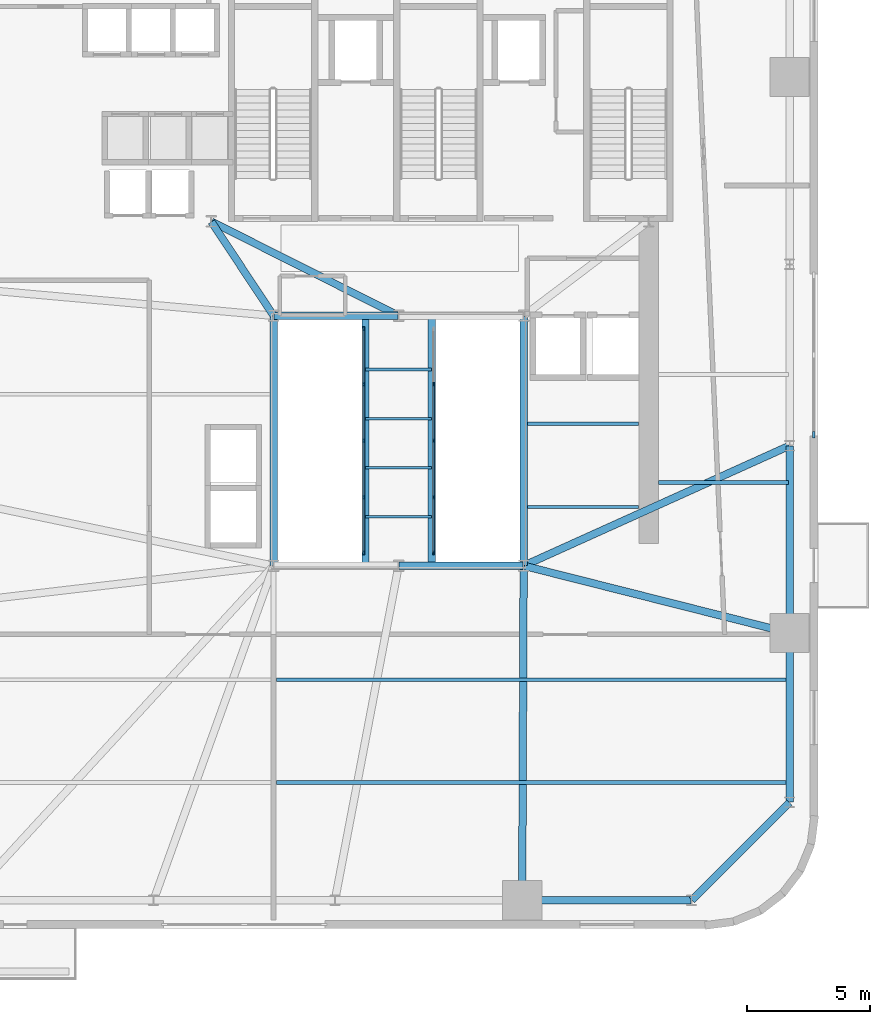
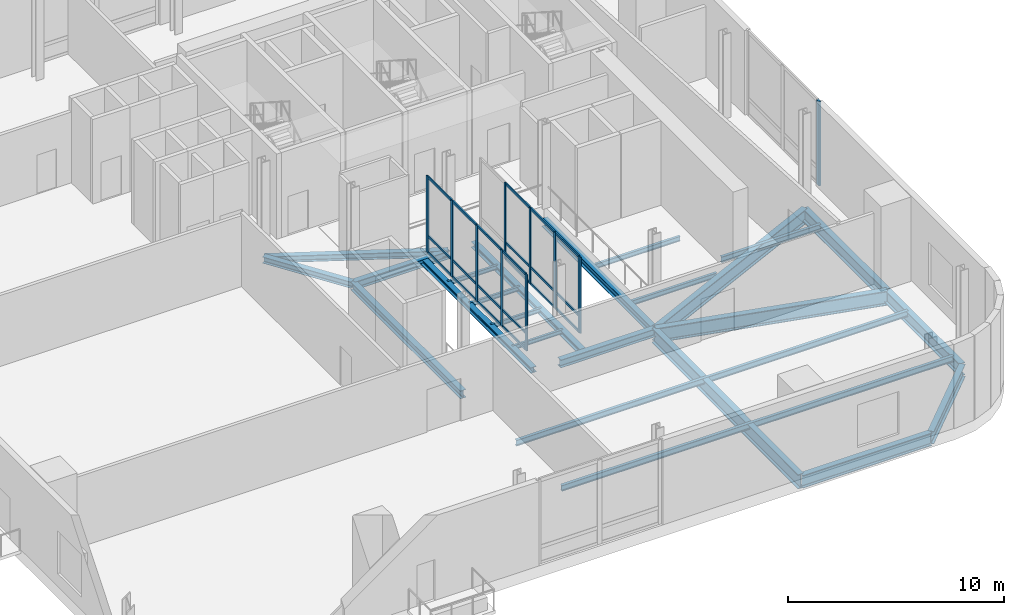
# One storey, part 3 of 13: 31 members, 24 beams, 3 elements without a shape of their own.
"""IFC4 building model written with IfcOpenShell, lengths in metres."""

from ifc_helpers import new_model, si_unit, direction, frame, origin, origin_2d, place, context, subcontext, project, spatial, rectangle, i_section, extrude, source, transform, mapped, material, material_profile, profile_set, type_object, element, aggregate, save


model = new_model("IFC4")

# Units and contexts
model_context = context("Model", 3, precision=1e-05, world=origin(), true_north=direction((0.0, 1.0)))
body_context = subcontext(model_context, "Body", "Model", "MODEL_VIEW")
ifc_project = project(units=[si_unit("LENGTHUNIT", "METRE"), si_unit("AREAUNIT", "SQUARE_METRE"), si_unit("VOLUMEUNIT", "CUBIC_METRE"), si_unit("PLANEANGLEUNIT", "RADIAN"), si_unit("MASSUNIT", "GRAM", prefix="KILO")], contexts=[model_context])

# Site, building, storey
site_placement = place(None, origin())
site = spatial("IfcSite", under=ifc_project, at=site_placement, CompositionType="ELEMENT")
building_placement = place(site_placement, origin())
building = spatial("IfcBuilding", under=site, at=building_placement, Name="Vardaveli Station Tower", CompositionType="ELEMENT")
storey_placement = place(building_placement, frame((0.0, 0.0, 98.699951171875)))
storey = spatial("IfcBuildingStorey", under=building, at=storey_placement, Name="L25", CompositionType="ELEMENT", Elevation=98.699951171875)

# Beams
ifc_material_1 = material(Name="Structural steel S355J2", Category="steel")
ifc_material_profile_1 = material_profile(ifc_material_1, i_section(OverallWidth=0.300048828125, OverallDepth=0.449951171875, WebThickness=0.013916015625, FlangeThickness=0.02587890625, FilletRadius=0.027099609375, at=origin_2d()), Name="HEB 450")
ifc_profile_set_1 = profile_set([ifc_material_profile_1], Name="Structural steel S355J2")
beam_type_1 = type_object("IfcBeamType", Name="BM-HEB450", PredefinedType="BEAM", material=ifc_profile_set_1)
shared_shape_1 = source(origin(), body_context, "Body", "SweptSolid", [
    extrude(i_section(OverallWidth=0.300048828125, OverallDepth=0.449951171875, WebThickness=0.013916015625, FlangeThickness=0.02587890625, FilletRadius=0.027099609375, at=origin_2d()), origin(), (0.0, 0.0, 1.0), 5.06005859375),
])
beam_1_placement = place(storey_placement, frame((36.280029296875, 26.800048828125, -0.875), z_axis=(-1.0, 0.0, 0.0), x_axis=(0.0, -1.0, 0.0)))
element("IfcBeam", 1, at=beam_1_placement, inside=storey, type_object=beam_type_1, Name="ABM-L25-05", PredefinedType="BEAM", context=body_context, shape_type="MappedRepresentation", body=[
    mapped(shared_shape_1, transform((0.0, 0.0, 0.0), scale=1.0)),
])
shared_shape_2 = source(origin(), body_context, "Body", "SweptSolid", [
    extrude(i_section(OverallWidth=0.300048828125, OverallDepth=0.449951171875, WebThickness=0.013916015625, FlangeThickness=0.02587890625, FilletRadius=0.027099609375, at=origin_2d()), origin(), (0.0, 0.0, 1.0), 5.059814453125),
])
beam_2_placement = place(storey_placement, frame((36.320068359375, 16.60009765625, -0.875), z_axis=(1.0, 0.0, 0.0), x_axis=(0.0, 1.0, 0.0)))
element("IfcBeam", 2, at=beam_2_placement, inside=storey, type_object=beam_type_1, Name="ABM-L25-02", PredefinedType="BEAM", context=body_context, shape_type="MappedRepresentation", body=[
    mapped(shared_shape_2, transform((0.0, 0.0, 0.0), scale=1.0)),
])
shared_shape_3 = source(origin(), body_context, "Body", "SweptSolid", [
    extrude(i_section(OverallWidth=0.300048828125, OverallDepth=0.449951171875, WebThickness=0.013916015625, FlangeThickness=0.02587890625, FilletRadius=0.027099609375, at=origin_2d()), origin(), (0.0, 0.0, 1.0), 10.159912109375),
])
for number, where, z_axis, x_axis, name in (
    (3, (41.39990234375, 16.6201171875, -0.875), (0.0, 1.0, 0.0), (-1.0, 0.0, 0.0), "ABM-L25-03"),
    (4, (31.199951171875, 26.780029296875, -0.875), (0.0, -1.0, 0.0), (1.0, 0.0, 0.0), "ABM-L25-06"),
):
    element("IfcBeam", number, at=place(storey_placement, frame(where, z_axis=z_axis, x_axis=x_axis)), inside=storey, type_object=beam_type_1, Name=name, PredefinedType="BEAM", context=body_context, shape_type="MappedRepresentation", body=[
        mapped(shared_shape_3, transform((0.0, 0.0, 0.0), scale=1.0)),
    ])
ifc_material_profile_2 = material_profile(ifc_material_1, i_section(OverallWidth=0.300048828125, OverallDepth=0.360107421875, WebThickness=0.012451171875, FlangeThickness=0.0224609375, FilletRadius=0.027099609375, at=origin_2d()), Name="HEB 360")
ifc_profile_set_2 = profile_set([ifc_material_profile_2], Name="Structural steel S355J2")
beam_type_2 = type_object("IfcBeamType", Name="BM-HEB360", PredefinedType="BEAM", material=ifc_profile_set_2)
shared_shape_4 = source(origin(), body_context, "Body", "SweptSolid", [
    extrude(i_section(OverallWidth=0.300048828125, OverallDepth=0.360107421875, WebThickness=0.012451171875, FlangeThickness=0.0224609375, FilletRadius=0.027099609375, at=origin_2d()), origin(), (0.0, 0.0, 1.0), 4.577880859375),
])
beam_3_placement = place(storey_placement, frame((31.18896484375, 26.816650390625, -0.829833984375), z_axis=(-0.55218702139, 0.833720272879, 0.0), x_axis=(-0.833720272879, -0.55218702139, 0.0)))
element("IfcBeam", 5, at=beam_3_placement, inside=storey, type_object=beam_type_2, Name="CBM-L25-01", PredefinedType="BEAM", context=body_context, shape_type="MappedRepresentation", body=[
    mapped(shared_shape_4, transform((0.0, 0.0, 0.0), scale=1.0)),
])
shared_shape_5 = source(origin(), body_context, "Body", "SweptSolid", [
    extrude(i_section(OverallWidth=0.300048828125, OverallDepth=0.360107421875, WebThickness=0.012451171875, FlangeThickness=0.0224609375, FilletRadius=0.027099609375, at=origin_2d()), origin(), (0.0, 0.0, 1.0), 8.524169921875),
])
beam_4_placement = place(storey_placement, frame((28.66796875, 30.64111328125, -0.829833984375), z_axis=(0.893255584708, -0.449549174605, 0.0), x_axis=(0.449549174605, 0.893255584708, 0.0)))
element("IfcBeam", 6, at=beam_4_placement, inside=storey, type_object=beam_type_2, Name="CBM-L25-03", PredefinedType="BEAM", context=body_context, shape_type="MappedRepresentation", body=[
    mapped(shared_shape_5, transform((0.0, 0.0, 0.0), scale=1.0)),
])
ifc_material_2 = material(Name="Structural steel S460M", Category="steel")
ifc_material_profile_3 = material_profile(ifc_material_2, i_section(OverallWidth=0.303955078125, OverallDepth=0.716064453125, WebThickness=0.02099609375, FlangeThickness=0.0400390625, FilletRadius=0.027099609375, at=origin_2d()), Name="HEM 700")
ifc_profile_set_3 = profile_set([ifc_material_profile_3], Name="Structural steel S460M")
beam_type_3 = type_object("IfcBeamType", Name="BM-HEM700", PredefinedType="BEAM", material=ifc_profile_set_3)
shared_shape_6 = source(origin(), body_context, "Body", "SweptSolid", [
    extrude(i_section(OverallWidth=0.303955078125, OverallDepth=0.716064453125, WebThickness=0.02099609375, FlangeThickness=0.0400390625, FilletRadius=0.027099609375, at=origin_2d()), origin(), (0.0, 0.0, 1.0), 7.60009765625),
])
beam_5_placement = place(storey_placement, frame((52.25, 13.8798828125, -1.008056640625), z_axis=(0.0, 1.0, 0.0), x_axis=(-1.0, 0.0, 0.0)))
element("IfcBeam", 7, at=beam_5_placement, inside=storey, type_object=beam_type_3, Name="RBM-L25-07", PredefinedType="BEAM", context=body_context, shape_type="MappedRepresentation", body=[
    mapped(shared_shape_6, transform((0.0, 0.0, 0.0), scale=1.0)),
])
shared_shape_7 = source(origin(), body_context, "Body", "SweptSolid", [
    extrude(i_section(OverallWidth=0.303955078125, OverallDepth=0.716064453125, WebThickness=0.02099609375, FlangeThickness=0.0400390625, FilletRadius=0.027099609375, at=origin_2d()), origin(), (0.0, 0.0, 1.0), 6.869873046875),
])
beam_6_placement = place(storey_placement, frame((41.360107421875, 2.949951171875, -1.008056640625), z_axis=(1.0, 0.0, 0.0), x_axis=(0.0, 1.0, 0.0)))
element("IfcBeam", 8, at=beam_6_placement, inside=storey, type_object=beam_type_3, Name="RBM-L25-04", PredefinedType="BEAM", context=body_context, shape_type="MappedRepresentation", body=[
    mapped(shared_shape_7, transform((0.0, 0.0, 0.0), scale=1.0)),
])
shared_shape_8 = source(origin(), body_context, "Body", "SweptSolid", [
    extrude(i_section(OverallWidth=0.303955078125, OverallDepth=0.716064453125, WebThickness=0.02099609375, FlangeThickness=0.0400390625, FilletRadius=0.027099609375, at=origin_2d()), origin(), (0.0, 0.0, 1.0), 5.61669921875),
])
beam_7_placement = place(storey_placement, frame((48.26416015625, 2.964111328125, -1.008056640625), z_axis=(0.707106781187, 0.707106781187, 0.0), x_axis=(-0.707106781187, 0.707106781187, 0.0)))
element("IfcBeam", 9, at=beam_7_placement, inside=storey, type_object=beam_type_3, Name="RBM-L25-05", PredefinedType="BEAM", context=body_context, shape_type="MappedRepresentation", body=[
    mapped(shared_shape_8, transform((0.0, 0.0, 0.0), scale=1.0)),
])
shared_shape_9 = source(origin(), body_context, "Body", "SweptSolid", [
    extrude(i_section(OverallWidth=0.303955078125, OverallDepth=0.716064453125, WebThickness=0.02099609375, FlangeThickness=0.0400390625, FilletRadius=0.027099609375, at=origin_2d()), origin(), (0.0, 0.0, 1.0), 6.8701171875),
])
beam_8_placement = place(storey_placement, frame((52.25, 6.969970703125, -1.008056640625), z_axis=(0.0, 1.0, 0.0), x_axis=(-1.0, 0.0, 0.0)))
element("IfcBeam", 10, at=beam_8_placement, inside=storey, type_object=beam_type_3, Name="RBM-L25-06", PredefinedType="BEAM", context=body_context, shape_type="MappedRepresentation", body=[
    mapped(shared_shape_9, transform((0.0, 0.0, 0.0), scale=1.0)),
])
ifc_material_profile_4 = material_profile(ifc_material_2, i_section(OverallWidth=0.305908203125, OverallDepth=0.81396484375, WebThickness=0.02099609375, FlangeThickness=0.0400390625, FilletRadius=0.027099609375, at=origin_2d()), Name="HEM 800")
ifc_profile_set_4 = profile_set([ifc_material_profile_4], Name="Structural steel S460M")
beam_type_4 = type_object("IfcBeamType", Name="BM-HEM800", PredefinedType="BEAM", material=ifc_profile_set_4)
shared_shape_10 = source(origin(), body_context, "Body", "SweptSolid", [
    extrude(i_section(OverallWidth=0.305908203125, OverallDepth=0.81396484375, WebThickness=0.02099609375, FlangeThickness=0.0400390625, FilletRadius=0.027099609375, at=origin_2d()), origin(), (0.0, 0.0, 1.0), 13.6103515625),
])
beam_9_placement = place(storey_placement, frame((41.340087890625, 2.969970703125, -1.056884765625), z_axis=(0.004394812886, 0.999990342763, 0.0), x_axis=(-0.999990342763, 0.004394812886, 0.0)))
element("IfcBeam", 11, at=beam_9_placement, inside=storey, type_object=beam_type_4, Name="GBM-L25-04", PredefinedType="BEAM", context=body_context, shape_type="MappedRepresentation", body=[
    mapped(shared_shape_10, transform((0.0, 0.0, 0.0), scale=1.0)),
])
shared_shape_11 = source(origin(), body_context, "Body", "SweptSolid", [
    extrude(i_section(OverallWidth=0.305908203125, OverallDepth=0.81396484375, WebThickness=0.02099609375, FlangeThickness=0.0400390625, FilletRadius=0.027099609375, at=origin_2d()), origin(), (0.0, 0.0, 1.0), 11.150634765625),
])
beam_10_placement = place(storey_placement, frame((52.230712890625, 13.864990234375, -1.056884765625), z_axis=(-0.969561465826, 0.244848042642, 0.0), x_axis=(-0.244848042642, -0.969561465826, 0.0)))
element("IfcBeam", 12, at=beam_10_placement, inside=storey, type_object=beam_type_4, Name="GBM-L25-05", PredefinedType="BEAM", context=body_context, shape_type="MappedRepresentation", body=[
    mapped(shared_shape_11, transform((0.0, 0.0, 0.0), scale=1.0)),
])
shared_shape_12 = source(origin(), body_context, "Body", "SweptSolid", [
    extrude(i_section(OverallWidth=0.305908203125, OverallDepth=0.81396484375, WebThickness=0.02099609375, FlangeThickness=0.0400390625, FilletRadius=0.027099609375, at=origin_2d()), origin(), (0.0, 0.0, 1.0), 11.864990234375),
])
beam_11_placement = place(storey_placement, frame((52.231689453125, 21.49169921875, -1.056884765625), z_axis=(-0.911369354756, -0.411589478985, 0.0), x_axis=(0.411589478985, -0.911369354756, 0.0)))
element("IfcBeam", 13, at=beam_11_placement, inside=storey, type_object=beam_type_4, Name="GBM-L25-06", PredefinedType="BEAM", context=body_context, shape_type="MappedRepresentation", body=[
    mapped(shared_shape_12, transform((0.0, 0.0, 0.0), scale=1.0)),
])
ifc_material_profile_5 = material_profile(ifc_material_1, i_section(OverallWidth=0.159912109375, OverallDepth=0.330078125, WebThickness=0.007568359375, FlangeThickness=0.011474609375, FilletRadius=0.01806640625, at=origin_2d()), Name="IPE 330")
ifc_profile_set_5 = profile_set([ifc_material_profile_5], Name="Structural steel S355J2")
beam_type_5 = type_object("IfcBeamType", Name="BM-IPE330", PredefinedType="JOIST", material=ifc_profile_set_5)
shared_shape_13 = source(origin(), body_context, "Body", "SweptSolid", [
    extrude(i_section(OverallWidth=0.159912109375, OverallDepth=0.330078125, WebThickness=0.007568359375, FlangeThickness=0.011474609375, FilletRadius=0.01806640625, at=origin_2d()), origin(), (0.0, 0.0, 1.0), 20.89794921875),
])
for number, where, z_axis, x_axis, name in (
    (14, (31.31201171875, 7.75, -0.81494140625), (1.0, 0.0, 0.0), (0.0, 1.0, 0.0), "SJ-L25-S02"),
    (15, (31.31201171875, 11.949951171875, -0.81494140625), (1.0, 0.0, 0.0), (0.0, 1.0, 0.0), "SJ-L25-S04"),
):
    element("IfcBeam", number, at=place(storey_placement, frame(where, z_axis=z_axis, x_axis=x_axis)), inside=storey, type_object=beam_type_5, Name=name, PredefinedType="JOIST", context=body_context, shape_type="MappedRepresentation", body=[
        mapped(shared_shape_13, transform((0.0, 0.0, 0.0), scale=1.0)),
    ])
shared_shape_14 = source(origin(), body_context, "Body", "SweptSolid", [
    extrude(i_section(OverallWidth=0.159912109375, OverallDepth=0.330078125, WebThickness=0.007568359375, FlangeThickness=0.011474609375, FilletRadius=0.01806640625, at=origin_2d()), origin(), (0.0, 0.0, 1.0), 5.304931640625),
])
beam_12_placement = place(storey_placement, frame((46.905029296875, 20.0, -0.81494140625), z_axis=(1.0, 0.0, 0.0), x_axis=(0.0, 1.0, 0.0)))
element("IfcBeam", 16, at=beam_12_placement, inside=storey, type_object=beam_type_5, Name="SJ-L25-E07", PredefinedType="JOIST", context=body_context, shape_type="MappedRepresentation", body=[
    mapped(shared_shape_14, transform((0.0, 0.0, 0.0), scale=1.0)),
])
ifc_material_profile_6 = material_profile(ifc_material_1, i_section(OverallWidth=0.135009765625, OverallDepth=0.27001953125, WebThickness=0.006591796875, FlangeThickness=0.01025390625, FilletRadius=0.014892578125, at=origin_2d()), Name="IPE 270")
ifc_profile_set_6 = profile_set([ifc_material_profile_6], Name="Structural steel S355J2")
beam_type_6 = type_object("IfcBeamType", Name="BM-IPE270", PredefinedType="BEAM", material=ifc_profile_set_6)
shared_shape_15 = source(origin(), body_context, "Body", "SweptSolid", [
    extrude(i_section(OverallWidth=0.135009765625, OverallDepth=0.27001953125, WebThickness=0.006591796875, FlangeThickness=0.01025390625, FilletRadius=0.014892578125, at=origin_2d()), origin(), (0.0, 0.0, 1.0), 4.530029296875),
])
for number, where, z_axis, x_axis, name in (
    (17, (41.56494140625, 19.0, -0.784912109375), (1.0, 0.0, 0.0), (0.0, 1.0, 0.0), "TJ-L25-01"),
    (18, (41.56494140625, 22.39990234375, -0.784912109375), (1.0, 0.0, 0.0), (0.0, 1.0, 0.0), "TJ-L25-02"),
):
    element("IfcBeam", number, at=place(storey_placement, frame(where, z_axis=z_axis, x_axis=x_axis)), inside=storey, type_object=beam_type_6, Name=name, PredefinedType="BEAM", context=body_context, shape_type="MappedRepresentation", body=[
        mapped(shared_shape_15, transform((0.0, 0.0, 0.0), scale=1.0)),
    ])
ifc_material_profile_7 = material_profile(ifc_material_1, i_section(OverallWidth=0.300048828125, OverallDepth=0.320068359375, WebThickness=0.011474609375, FlangeThickness=0.0205078125, FilletRadius=0.027099609375, at=origin_2d()), Name="HEB 320")
ifc_profile_set_7 = profile_set([ifc_material_profile_7], Name="Structural steel S355J2")
beam_type_7 = type_object("IfcBeamType", Name="BM-HEB320", PredefinedType="BEAM", material=ifc_profile_set_7)
shared_shape_16 = source(origin(), body_context, "Body", "SweptSolid", [
    extrude(i_section(OverallWidth=0.300048828125, OverallDepth=0.320068359375, WebThickness=0.011474609375, FlangeThickness=0.0205078125, FilletRadius=0.027099609375, at=origin_2d()), origin(), (0.0, 0.0, 1.0), 10.199951171875),
])
for number, where, z_axis, x_axis, name in (
    (19, (34.949951171875, 16.60009765625, -0.81005859375), (0.0, 1.0, 0.0), (-1.0, 0.0, 0.0), "BRG-L25-W"),
    (20, (37.64990234375, 16.60009765625, -0.81005859375), (0.0, 1.0, 0.0), (-1.0, 0.0, 0.0), "BRG-L25-E"),
):
    element("IfcBeam", number, at=place(storey_placement, frame(where, z_axis=z_axis, x_axis=x_axis)), inside=storey, type_object=beam_type_7, Name=name, PredefinedType="BEAM", context=body_context, shape_type="MappedRepresentation", body=[
        mapped(shared_shape_16, transform((0.0, 0.0, 0.0), scale=1.0)),
    ])
ifc_material_profile_8 = material_profile(ifc_material_1, i_section(OverallWidth=0.1201171875, OverallDepth=0.239990234375, WebThickness=0.006103515625, FlangeThickness=0.009765625, FilletRadius=0.014892578125, at=origin_2d()), Name="IPE 240")
ifc_profile_set_8 = profile_set([ifc_material_profile_8], Name="Structural steel S355J2")
beam_type_8 = type_object("IfcBeamType", Name="BM-IPE240", PredefinedType="JOIST", material=ifc_profile_set_8)
shared_shape_17 = source(origin(), body_context, "Body", "SweptSolid", [
    extrude(i_section(OverallWidth=0.1201171875, OverallDepth=0.239990234375, WebThickness=0.006103515625, FlangeThickness=0.009765625, FilletRadius=0.014892578125, at=origin_2d()), origin(), (0.0, 0.0, 1.0), 2.699951171875),
])
for number, where, z_axis, x_axis, name in (
    (21, (34.949951171875, 18.60009765625, -0.77001953125), (1.0, 0.0, 0.0), (0.0, 1.0, 0.0), "BRJ-L25-1"),
    (22, (34.949951171875, 20.60009765625, -0.77001953125), (1.0, 0.0, 0.0), (0.0, 1.0, 0.0), "BRJ-L25-2"),
    (23, (34.949951171875, 22.60009765625, -0.77001953125), (1.0, 0.0, 0.0), (0.0, 1.0, 0.0), "BRJ-L25-3"),
    (24, (34.949951171875, 24.60009765625, -0.77001953125), (1.0, 0.0, 0.0), (0.0, 1.0, 0.0), "BRJ-L25-4"),
):
    element("IfcBeam", number, at=place(storey_placement, frame(where, z_axis=z_axis, x_axis=x_axis)), inside=storey, type_object=beam_type_8, Name=name, PredefinedType="JOIST", context=body_context, shape_type="MappedRepresentation", body=[
        mapped(shared_shape_17, transform((0.0, 0.0, 0.0), scale=1.0)),
    ])

# Curtain wall, member
ifc_material_3 = material(Name="Travertine stone and solar-control glass", Category="masonry")
curtain_wall_type_1 = type_object("IfcCurtainWallType", Name="CW-SYS-3", PredefinedType="NOTDEFINED", material=ifc_material_3)
curtain_wall_1_placement = place(storey_placement, origin())
curtain_wall_1 = element("IfcCurtainWall", 25, at=curtain_wall_1_placement, inside=storey, type_object=curtain_wall_type_1, Name="CW-L25-E", PredefinedType="NOTDEFINED")
ifc_material_4 = material(Name="Anodised aluminium alloy 6063-T6", Category="aluminium")
ifc_material_profile_9 = material_profile(ifc_material_4, rectangle(XDim=0.090087890625, YDim=0.25, at=origin_2d()), Name="CWM 90x250")
ifc_profile_set_9 = profile_set([ifc_material_profile_9], Name="Anodised aluminium alloy 6063-T6")
member_type_1 = type_object("IfcMemberType", Name="CW-SYS-3-MULL", PredefinedType="MULLION", material=ifc_profile_set_9)
shared_shape_18 = source(origin(), body_context, "Body", "SweptSolid", [
    extrude(rectangle(XDim=0.090087890625, YDim=0.25, at=origin_2d()), origin(), (0.0, 0.0, 1.0), 4.760009765625),
])
member_1_placement = place(storey_placement, frame((53.239990234375, 21.945068359375, 0.0), z_axis=(0.0, 0.0, 1.0), x_axis=(-1.0, 0.0, 0.0)))
member_1 = element("IfcMember", 26, at=member_1_placement, type_object=member_type_1, Name="CW-3 mullion 1", PredefinedType="MULLION", context=body_context, shape_type="MappedRepresentation", body=[
    mapped(shared_shape_18, transform((0.0, 0.0, 0.0), scale=1.0)),
])
aggregate(curtain_wall_1, [member_1])

# Curtain wall, members
curtain_wall_type_2 = type_object("IfcCurtainWallType", Name="CW-SYS-4", PredefinedType="NOTDEFINED", material=ifc_material_3)
curtain_wall_2_placement = place(storey_placement, origin())
curtain_wall_2 = element("IfcCurtainWall", 27, at=curtain_wall_2_placement, inside=storey, type_object=curtain_wall_type_2, Name="CW-L25-BRW", PredefinedType="NOTDEFINED")
ifc_material_profile_10 = material_profile(ifc_material_4, rectangle(XDim=0.070068359375, YDim=0.1650390625, at=origin_2d()), Name="CWM 70x165")
ifc_profile_set_10 = profile_set([ifc_material_profile_10], Name="Anodised aluminium alloy 6063-T6")
member_type_2 = type_object("IfcMemberType", Name="CW-SYS-4-MULL", PredefinedType="MULLION", material=ifc_profile_set_10)
shared_shape_19 = source(origin(), body_context, "Body", "SweptSolid", [
    extrude(rectangle(XDim=0.070068359375, YDim=0.1650390625, at=origin_2d()), origin(), (0.0, 0.0, 1.0), 4.300048828125),
])
member_2_placement = place(storey_placement, frame((34.8798828125, 17.135009765625, 0.0), z_axis=(0.0, 0.0, 1.0), x_axis=(-1.0, 0.0, 0.0)))
member_2 = element("IfcMember", 28, at=member_2_placement, type_object=member_type_2, Name="CW-4 mullion 1", PredefinedType="MULLION", context=body_context, shape_type="MappedRepresentation", body=[
    mapped(shared_shape_19, transform((0.0, 0.0, 0.0), scale=1.0)),
])
member_3_placement = place(storey_placement, frame((34.8798828125, 19.39990234375, 0.0), z_axis=(0.0, 0.0, 1.0), x_axis=(-1.0, 0.0, 0.0)))
member_3 = element("IfcMember", 29, at=member_3_placement, type_object=member_type_2, Name="CW-4 mullion 2", PredefinedType="MULLION", context=body_context, shape_type="MappedRepresentation", body=[
    mapped(shared_shape_19, transform((0.0, 0.0, 0.0), scale=1.0)),
])
member_4_placement = place(storey_placement, frame((34.8798828125, 21.699951171875, 0.0), z_axis=(0.0, 0.0, 1.0), x_axis=(-1.0, 0.0, 0.0)))
member_4 = element("IfcMember", 30, at=member_4_placement, type_object=member_type_2, Name="CW-4 mullion 3", PredefinedType="MULLION", context=body_context, shape_type="MappedRepresentation", body=[
    mapped(shared_shape_19, transform((0.0, 0.0, 0.0), scale=1.0)),
])
member_5_placement = place(storey_placement, frame((34.8798828125, 24.0, 0.0), z_axis=(0.0, 0.0, 1.0), x_axis=(-1.0, 0.0, 0.0)))
member_5 = element("IfcMember", 31, at=member_5_placement, type_object=member_type_2, Name="CW-4 mullion 4", PredefinedType="MULLION", context=body_context, shape_type="MappedRepresentation", body=[
    mapped(shared_shape_19, transform((0.0, 0.0, 0.0), scale=1.0)),
])
member_6_placement = place(storey_placement, frame((34.8798828125, 26.264892578125, 0.0), z_axis=(0.0, 0.0, 1.0), x_axis=(-1.0, 0.0, 0.0)))
member_6 = element("IfcMember", 32, at=member_6_placement, type_object=member_type_2, Name="CW-4 mullion 5", PredefinedType="MULLION", context=body_context, shape_type="MappedRepresentation", body=[
    mapped(shared_shape_19, transform((0.0, 0.0, 0.0), scale=1.0)),
])

curtain_wall_3_placement = place(storey_placement, origin())
curtain_wall_3 = element("IfcCurtainWall", 33, at=curtain_wall_3_placement, inside=storey, type_object=curtain_wall_type_2, Name="CW-L25-BRE", PredefinedType="NOTDEFINED")
member_7_placement = place(storey_placement, frame((37.719970703125, 17.135009765625, 0.0), z_axis=(0.0, 0.0, 1.0), x_axis=(-1.0, 0.0, 0.0)))
member_7 = element("IfcMember", 34, at=member_7_placement, type_object=member_type_2, Name="CW-4 mullion 1", PredefinedType="MULLION", context=body_context, shape_type="MappedRepresentation", body=[
    mapped(shared_shape_19, transform((0.0, 0.0, 0.0), scale=1.0)),
])
member_8_placement = place(storey_placement, frame((37.719970703125, 19.39990234375, 0.0), z_axis=(0.0, 0.0, 1.0), x_axis=(-1.0, 0.0, 0.0)))
member_8 = element("IfcMember", 35, at=member_8_placement, type_object=member_type_2, Name="CW-4 mullion 2", PredefinedType="MULLION", context=body_context, shape_type="MappedRepresentation", body=[
    mapped(shared_shape_19, transform((0.0, 0.0, 0.0), scale=1.0)),
])
member_9_placement = place(storey_placement, frame((37.719970703125, 21.699951171875, 0.0), z_axis=(0.0, 0.0, 1.0), x_axis=(-1.0, 0.0, 0.0)))
member_9 = element("IfcMember", 36, at=member_9_placement, type_object=member_type_2, Name="CW-4 mullion 3", PredefinedType="MULLION", context=body_context, shape_type="MappedRepresentation", body=[
    mapped(shared_shape_19, transform((0.0, 0.0, 0.0), scale=1.0)),
])
member_10_placement = place(storey_placement, frame((37.719970703125, 24.0, 0.0), z_axis=(0.0, 0.0, 1.0), x_axis=(-1.0, 0.0, 0.0)))
member_10 = element("IfcMember", 37, at=member_10_placement, type_object=member_type_2, Name="CW-4 mullion 4", PredefinedType="MULLION", context=body_context, shape_type="MappedRepresentation", body=[
    mapped(shared_shape_19, transform((0.0, 0.0, 0.0), scale=1.0)),
])

# Member
ifc_material_profile_11 = material_profile(ifc_material_4, rectangle(XDim=0.070068359375, YDim=0.135009765625, at=origin_2d()), Name="CWT 70x135")
ifc_profile_set_11 = profile_set([ifc_material_profile_11], Name="Anodised aluminium alloy 6063-T6")
member_type_3 = type_object("IfcMemberType", Name="CW-SYS-4-TRAN", PredefinedType="NOTDEFINED", material=ifc_profile_set_11)
shared_shape_20 = source(origin(), body_context, "Body", "SweptSolid", [
    extrude(rectangle(XDim=0.070068359375, YDim=0.135009765625, at=origin_2d()), origin(), (0.0, 0.0, 1.0), 2.195068359375),
])
member_11_placement = place(storey_placement, frame((34.8798828125, 17.169921875, 0.03515625), z_axis=(0.0, 1.0, 0.0), x_axis=(-1.0, 0.0, 0.0)))
member_11 = element("IfcMember", 38, at=member_11_placement, type_object=member_type_3, Name="CW-4 transom 1.1", ObjectType="TRANSOM", PredefinedType="USERDEFINED", context=body_context, shape_type="MappedRepresentation", body=[
    mapped(shared_shape_20, transform((0.0, 0.0, 0.0), scale=1.0)),
])

member_12_placement = place(storey_placement, frame((34.8798828125, 17.169921875, 0.949951171875), z_axis=(0.0, 1.0, 0.0), x_axis=(-1.0, 0.0, 0.0)))
member_12 = element("IfcMember", 39, at=member_12_placement, type_object=member_type_3, Name="CW-4 transom 1.2", ObjectType="TRANSOM", PredefinedType="USERDEFINED", context=body_context, shape_type="MappedRepresentation", body=[
    mapped(shared_shape_20, transform((0.0, 0.0, 0.0), scale=1.0)),
])

member_13_placement = place(storey_placement, frame((34.8798828125, 17.169921875, 4.26513671875), z_axis=(0.0, 1.0, 0.0), x_axis=(-1.0, 0.0, 0.0)))
member_13 = element("IfcMember", 40, at=member_13_placement, type_object=member_type_3, Name="CW-4 transom 1.3", ObjectType="TRANSOM", PredefinedType="USERDEFINED", context=body_context, shape_type="MappedRepresentation", body=[
    mapped(shared_shape_20, transform((0.0, 0.0, 0.0), scale=1.0)),
])

member_14_placement = place(storey_placement, frame((34.8798828125, 24.034912109375, 0.03515625), z_axis=(0.0, 1.0, 0.0), x_axis=(-1.0, 0.0, 0.0)))
member_14 = element("IfcMember", 41, at=member_14_placement, type_object=member_type_3, Name="CW-4 transom 4.1", ObjectType="TRANSOM", PredefinedType="USERDEFINED", context=body_context, shape_type="MappedRepresentation", body=[
    mapped(shared_shape_20, transform((0.0, 0.0, 0.0), scale=1.0)),
])

member_15_placement = place(storey_placement, frame((34.8798828125, 24.034912109375, 0.949951171875), z_axis=(0.0, 1.0, 0.0), x_axis=(-1.0, 0.0, 0.0)))
member_15 = element("IfcMember", 42, at=member_15_placement, type_object=member_type_3, Name="CW-4 transom 4.2", ObjectType="TRANSOM", PredefinedType="USERDEFINED", context=body_context, shape_type="MappedRepresentation", body=[
    mapped(shared_shape_20, transform((0.0, 0.0, 0.0), scale=1.0)),
])

member_16_placement = place(storey_placement, frame((34.8798828125, 24.034912109375, 4.26513671875), z_axis=(0.0, 1.0, 0.0), x_axis=(-1.0, 0.0, 0.0)))
member_16 = element("IfcMember", 43, at=member_16_placement, type_object=member_type_3, Name="CW-4 transom 4.3", ObjectType="TRANSOM", PredefinedType="USERDEFINED", context=body_context, shape_type="MappedRepresentation", body=[
    mapped(shared_shape_20, transform((0.0, 0.0, 0.0), scale=1.0)),
])

member_17_placement = place(storey_placement, frame((37.719970703125, 17.169921875, 0.03515625), z_axis=(0.0, 1.0, 0.0), x_axis=(-1.0, 0.0, 0.0)))
member_17 = element("IfcMember", 44, at=member_17_placement, type_object=member_type_3, Name="CW-4 transom 1.1", ObjectType="TRANSOM", PredefinedType="USERDEFINED", context=body_context, shape_type="MappedRepresentation", body=[
    mapped(shared_shape_20, transform((0.0, 0.0, 0.0), scale=1.0)),
])

member_18_placement = place(storey_placement, frame((37.719970703125, 17.169921875, 0.949951171875), z_axis=(0.0, 1.0, 0.0), x_axis=(-1.0, 0.0, 0.0)))
member_18 = element("IfcMember", 45, at=member_18_placement, type_object=member_type_3, Name="CW-4 transom 1.2", ObjectType="TRANSOM", PredefinedType="USERDEFINED", context=body_context, shape_type="MappedRepresentation", body=[
    mapped(shared_shape_20, transform((0.0, 0.0, 0.0), scale=1.0)),
])

member_19_placement = place(storey_placement, frame((37.719970703125, 17.169921875, 4.26513671875), z_axis=(0.0, 1.0, 0.0), x_axis=(-1.0, 0.0, 0.0)))
member_19 = element("IfcMember", 46, at=member_19_placement, type_object=member_type_3, Name="CW-4 transom 1.3", ObjectType="TRANSOM", PredefinedType="USERDEFINED", context=body_context, shape_type="MappedRepresentation", body=[
    mapped(shared_shape_20, transform((0.0, 0.0, 0.0), scale=1.0)),
])

shared_shape_21 = source(origin(), body_context, "Body", "SweptSolid", [
    extrude(rectangle(XDim=0.070068359375, YDim=0.135009765625, at=origin_2d()), origin(), (0.0, 0.0, 1.0), 2.22998046875),
])
member_20_placement = place(storey_placement, frame((34.8798828125, 19.43505859375, 0.03515625), z_axis=(0.0, 1.0, 0.0), x_axis=(-1.0, 0.0, 0.0)))
member_20 = element("IfcMember", 47, at=member_20_placement, type_object=member_type_3, Name="CW-4 transom 2.1", ObjectType="TRANSOM", PredefinedType="USERDEFINED", context=body_context, shape_type="MappedRepresentation", body=[
    mapped(shared_shape_21, transform((0.0, 0.0, 0.0), scale=1.0)),
])

member_21_placement = place(storey_placement, frame((34.8798828125, 19.43505859375, 0.949951171875), z_axis=(0.0, 1.0, 0.0), x_axis=(-1.0, 0.0, 0.0)))
member_21 = element("IfcMember", 48, at=member_21_placement, type_object=member_type_3, Name="CW-4 transom 2.2", ObjectType="TRANSOM", PredefinedType="USERDEFINED", context=body_context, shape_type="MappedRepresentation", body=[
    mapped(shared_shape_21, transform((0.0, 0.0, 0.0), scale=1.0)),
])

member_22_placement = place(storey_placement, frame((34.8798828125, 19.43505859375, 4.26513671875), z_axis=(0.0, 1.0, 0.0), x_axis=(-1.0, 0.0, 0.0)))
member_22 = element("IfcMember", 49, at=member_22_placement, type_object=member_type_3, Name="CW-4 transom 2.3", ObjectType="TRANSOM", PredefinedType="USERDEFINED", context=body_context, shape_type="MappedRepresentation", body=[
    mapped(shared_shape_21, transform((0.0, 0.0, 0.0), scale=1.0)),
])

member_23_placement = place(storey_placement, frame((34.8798828125, 21.735107421875, 0.03515625), z_axis=(0.0, 1.0, 0.0), x_axis=(-1.0, 0.0, 0.0)))
member_23 = element("IfcMember", 50, at=member_23_placement, type_object=member_type_3, Name="CW-4 transom 3.1", ObjectType="TRANSOM", PredefinedType="USERDEFINED", context=body_context, shape_type="MappedRepresentation", body=[
    mapped(shared_shape_21, transform((0.0, 0.0, 0.0), scale=1.0)),
])

member_24_placement = place(storey_placement, frame((34.8798828125, 21.735107421875, 0.949951171875), z_axis=(0.0, 1.0, 0.0), x_axis=(-1.0, 0.0, 0.0)))
member_24 = element("IfcMember", 51, at=member_24_placement, type_object=member_type_3, Name="CW-4 transom 3.2", ObjectType="TRANSOM", PredefinedType="USERDEFINED", context=body_context, shape_type="MappedRepresentation", body=[
    mapped(shared_shape_21, transform((0.0, 0.0, 0.0), scale=1.0)),
])

member_25_placement = place(storey_placement, frame((34.8798828125, 21.735107421875, 4.26513671875), z_axis=(0.0, 1.0, 0.0), x_axis=(-1.0, 0.0, 0.0)))
member_25 = element("IfcMember", 52, at=member_25_placement, type_object=member_type_3, Name="CW-4 transom 3.3", ObjectType="TRANSOM", PredefinedType="USERDEFINED", context=body_context, shape_type="MappedRepresentation", body=[
    mapped(shared_shape_21, transform((0.0, 0.0, 0.0), scale=1.0)),
])

aggregate(curtain_wall_2, [member_2, member_3, member_4, member_5, member_6, member_11, member_12, member_13, member_20, member_21, member_22, member_23, member_24, member_25, member_14, member_15, member_16])

member_26_placement = place(storey_placement, frame((37.719970703125, 19.43505859375, 0.03515625), z_axis=(0.0, 1.0, 0.0), x_axis=(-1.0, 0.0, 0.0)))
member_26 = element("IfcMember", 53, at=member_26_placement, type_object=member_type_3, Name="CW-4 transom 2.1", ObjectType="TRANSOM", PredefinedType="USERDEFINED", context=body_context, shape_type="MappedRepresentation", body=[
    mapped(shared_shape_21, transform((0.0, 0.0, 0.0), scale=1.0)),
])

member_27_placement = place(storey_placement, frame((37.719970703125, 19.43505859375, 0.949951171875), z_axis=(0.0, 1.0, 0.0), x_axis=(-1.0, 0.0, 0.0)))
member_27 = element("IfcMember", 54, at=member_27_placement, type_object=member_type_3, Name="CW-4 transom 2.2", ObjectType="TRANSOM", PredefinedType="USERDEFINED", context=body_context, shape_type="MappedRepresentation", body=[
    mapped(shared_shape_21, transform((0.0, 0.0, 0.0), scale=1.0)),
])

member_28_placement = place(storey_placement, frame((37.719970703125, 19.43505859375, 4.26513671875), z_axis=(0.0, 1.0, 0.0), x_axis=(-1.0, 0.0, 0.0)))
member_28 = element("IfcMember", 55, at=member_28_placement, type_object=member_type_3, Name="CW-4 transom 2.3", ObjectType="TRANSOM", PredefinedType="USERDEFINED", context=body_context, shape_type="MappedRepresentation", body=[
    mapped(shared_shape_21, transform((0.0, 0.0, 0.0), scale=1.0)),
])

member_29_placement = place(storey_placement, frame((37.719970703125, 21.735107421875, 0.03515625), z_axis=(0.0, 1.0, 0.0), x_axis=(-1.0, 0.0, 0.0)))
member_29 = element("IfcMember", 56, at=member_29_placement, type_object=member_type_3, Name="CW-4 transom 3.1", ObjectType="TRANSOM", PredefinedType="USERDEFINED", context=body_context, shape_type="MappedRepresentation", body=[
    mapped(shared_shape_21, transform((0.0, 0.0, 0.0), scale=1.0)),
])

member_30_placement = place(storey_placement, frame((37.719970703125, 21.735107421875, 0.949951171875), z_axis=(0.0, 1.0, 0.0), x_axis=(-1.0, 0.0, 0.0)))
member_30 = element("IfcMember", 57, at=member_30_placement, type_object=member_type_3, Name="CW-4 transom 3.2", ObjectType="TRANSOM", PredefinedType="USERDEFINED", context=body_context, shape_type="MappedRepresentation", body=[
    mapped(shared_shape_21, transform((0.0, 0.0, 0.0), scale=1.0)),
])

member_31_placement = place(storey_placement, frame((37.719970703125, 21.735107421875, 4.26513671875), z_axis=(0.0, 1.0, 0.0), x_axis=(-1.0, 0.0, 0.0)))
member_31 = element("IfcMember", 58, at=member_31_placement, type_object=member_type_3, Name="CW-4 transom 3.3", ObjectType="TRANSOM", PredefinedType="USERDEFINED", context=body_context, shape_type="MappedRepresentation", body=[
    mapped(shared_shape_21, transform((0.0, 0.0, 0.0), scale=1.0)),
])

aggregate(curtain_wall_3, [member_7, member_8, member_9, member_10, member_17, member_18, member_19, member_26, member_27, member_28, member_29, member_30, member_31])

save(model, "model.ifc")
